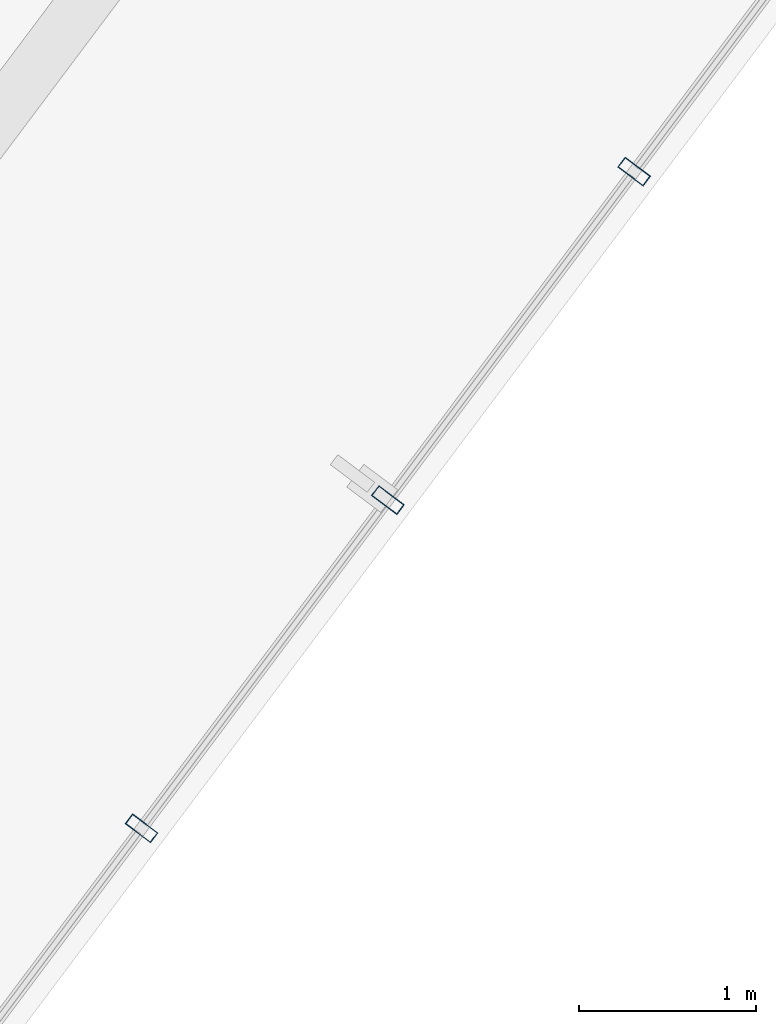
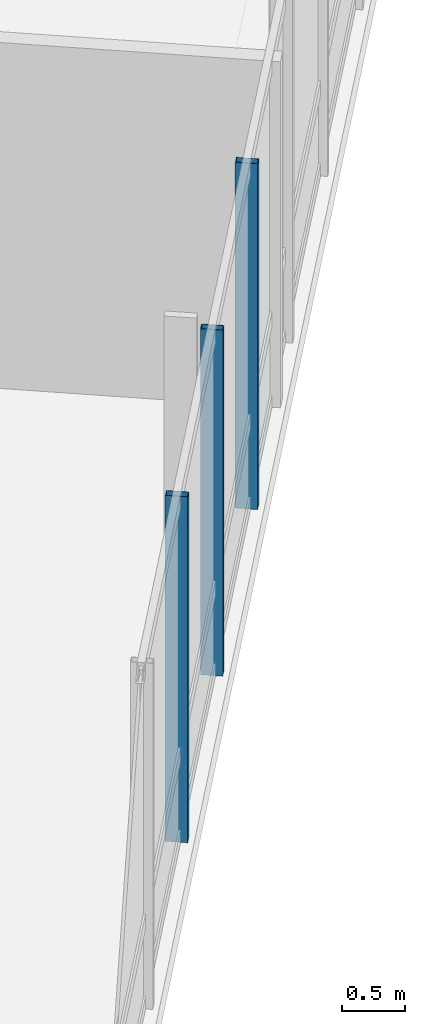
# One storey, part 11 of 25: 3 members, 1 element without a shape of its own.
"""IFC4 building model written with IfcOpenShell, lengths in metres."""

from ifc_helpers import new_model, si_unit, direction, frame, origin, origin_2d, place, context, subcontext, project, spatial, hollow_rectangle, extrude, material, layer, layer_set, material_profile, profile_set, type_object, element, aggregate, save


model = new_model("IFC4")

# Units and contexts
model_context = context("Model", 3, precision=1e-05, world=origin(), true_north=direction((0.0, 1.0)))
body_context = subcontext(model_context, "Body", "Model", "MODEL_VIEW")
ifc_project = project(units=[si_unit("LENGTHUNIT", "METRE"), si_unit("AREAUNIT", "SQUARE_METRE"), si_unit("VOLUMEUNIT", "CUBIC_METRE"), si_unit("PLANEANGLEUNIT", "RADIAN"), si_unit("MASSUNIT", "GRAM", prefix="KILO")], contexts=[model_context])

# Site, building, storey
site_placement = place(None, origin())
site = spatial("IfcSite", under=ifc_project, at=site_placement, CompositionType="ELEMENT")
building_placement = place(site_placement, origin())
building = spatial("IfcBuilding", under=site, at=building_placement, Name="Hatsunagi Terrace Concourse", CompositionType="ELEMENT")
storey_placement = place(building_placement, frame((0.0, 0.0, 216.75)))
storey = spatial("IfcBuildingStorey", under=building, at=storey_placement, Name="L57", CompositionType="ELEMENT", Elevation=216.75)

# Curtain wall, members
ifc_material_1 = material(Name="Anodised Aluminium Alloy 6063-T5", Category="aluminium")
ifc_layer = layer(ifc_material_1, 0.199951171875)
ifc_layer_set = layer_set([ifc_layer], Name="OfficeZone2_CW04")
curtain_wall_type = type_object("IfcCurtainWallType", Name="OfficeZone2_CW04", PredefinedType="NOTDEFINED", material=ifc_layer_set)
curtain_wall_placement = place(storey_placement, origin())
curtain_wall = element("IfcCurtainWall", 1, at=curtain_wall_placement, inside=storey, type_object=curtain_wall_type, Name="Unitised Curtain Wall CW-04 CW-L57-03", PredefinedType="NOTDEFINED")
ifc_material_2 = material(Name="Anodised Aluminium Alloy 6063-T5", Category="aluminium")
ifc_material_profile = material_profile(ifc_material_2, hollow_rectangle(XDim=0.070068359375, YDim=0.179931640625, WallThickness=0.00390625, at=origin_2d()), Name="ALU-MUL-180x70x4")
ifc_profile_set = profile_set([ifc_material_profile], Name="Anodised Aluminium Alloy 6063-T5")
member_type = type_object("IfcMemberType", Name="CurtainWallMullion_180x70", PredefinedType="MULLION", material=ifc_profile_set)
member_1_placement = place(storey_placement, frame((53.73193359375, 16.676025390625, 0.0), z_axis=(0.0, 0.0, 1.0), x_axis=(-0.599969314634, -0.800023013105, 0.0)))
member_1 = element("IfcMember", 2, at=member_1_placement, type_object=member_type, Name="Curtain Wall Mullion MUL-02", PredefinedType="MULLION", context=body_context, shape_type="SweptSolid", body=[
    extrude(hollow_rectangle(XDim=0.070068359375, YDim=0.179931640625, WallThickness=0.00390625, at=origin_2d()), origin(), (0.0, 0.0, 1.0), 3.35009765625),
])
member_2_placement = place(storey_placement, frame((52.340087890625, 14.819091796875, 0.0), z_axis=(0.0, 0.0, 1.0), x_axis=(-0.599969314634, -0.800023013105, 0.0)))
member_2 = element("IfcMember", 3, at=member_2_placement, type_object=member_type, Name="Curtain Wall Mullion MUL-02", PredefinedType="MULLION", context=body_context, shape_type="SweptSolid", body=[
    extrude(hollow_rectangle(XDim=0.070068359375, YDim=0.179931640625, WallThickness=0.00390625, at=origin_2d()), origin(), (0.0, 0.0, 1.0), 3.35009765625),
])
member_3_placement = place(storey_placement, frame((50.947021484375, 12.962890625, 0.0), z_axis=(0.0, 0.0, 1.0), x_axis=(-0.599969314634, -0.800023013105, 0.0)))
member_3 = element("IfcMember", 4, at=member_3_placement, type_object=member_type, Name="Curtain Wall Mullion MUL-02", PredefinedType="MULLION", context=body_context, shape_type="SweptSolid", body=[
    extrude(hollow_rectangle(XDim=0.070068359375, YDim=0.179931640625, WallThickness=0.00390625, at=origin_2d()), origin(), (0.0, 0.0, 1.0), 3.35009765625),
])
aggregate(curtain_wall, [member_1, member_2, member_3])

save(model, "model.ifc")
